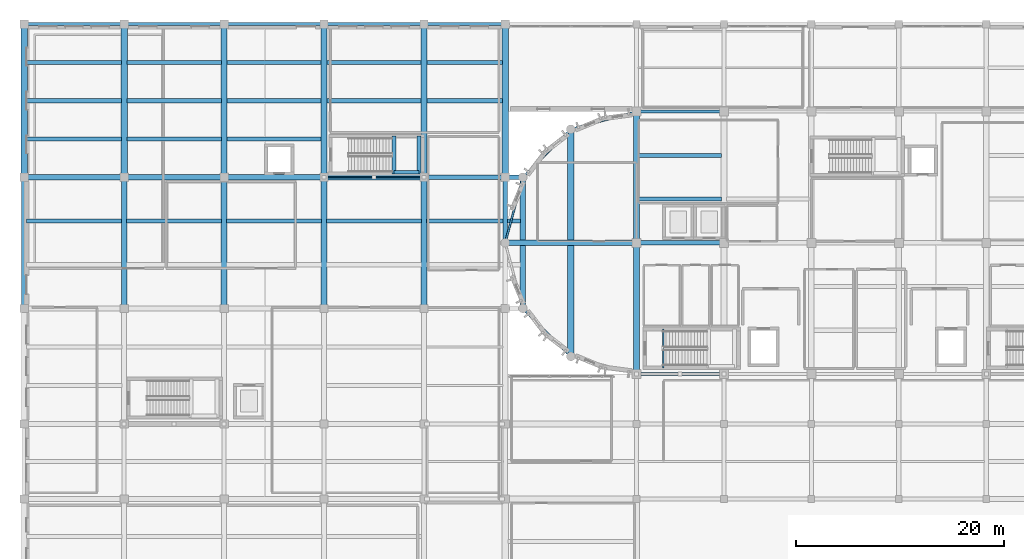
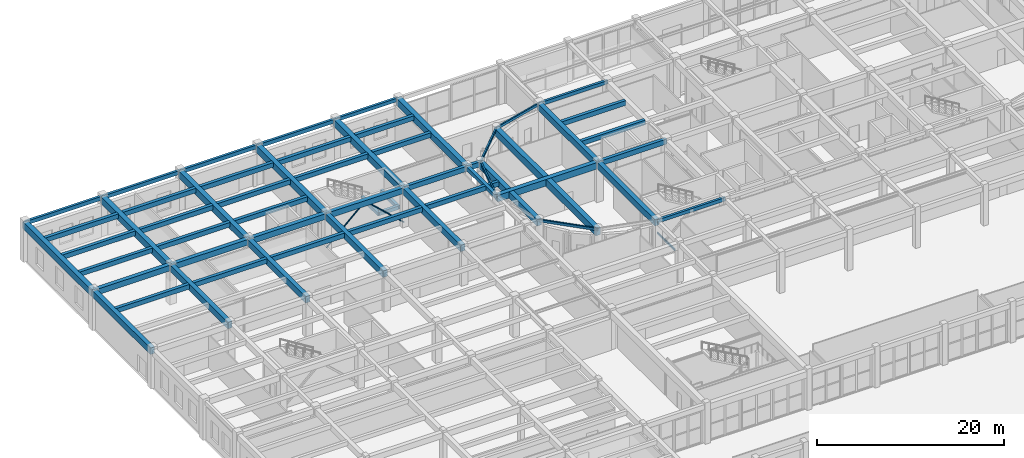
# One storey, part 34 of 98: 58 beams, 3 members.
"""IFC4 building model written with IfcOpenShell, lengths in metres."""

from ifc_helpers import new_model, si_unit, direction, frame, origin, origin_2d, place, context, subcontext, project, spatial, rectangle, hollow_rectangle, hollow_circle, extrude, material, material_profile, profile_set, type_object, element, save


model = new_model("IFC4")

# Units and contexts
model_context = context("Model", 3, precision=1e-05, world=origin(), true_north=direction((0.0, 1.0)))
body_context = subcontext(model_context, "Body", "Model", "MODEL_VIEW")
ifc_project = project(units=[si_unit("LENGTHUNIT", "METRE"), si_unit("AREAUNIT", "SQUARE_METRE"), si_unit("VOLUMEUNIT", "CUBIC_METRE"), si_unit("PLANEANGLEUNIT", "RADIAN"), si_unit("MASSUNIT", "GRAM", prefix="KILO")], contexts=[model_context])

# Site, building, storey
site_placement = place(None, origin())
site = spatial("IfcSite", under=ifc_project, at=site_placement, CompositionType="ELEMENT")
building_placement = place(site_placement, origin())
building = spatial("IfcBuilding", under=site, at=building_placement, Name="Tarnavel Promenade Courthouse", CompositionType="ELEMENT")
storey_placement = place(building_placement, origin())
storey = spatial("IfcBuildingStorey", under=building, at=storey_placement, Name="L01", CompositionType="ELEMENT", Elevation=0.0)

# Beams
ifc_material_1 = material(Name="Concrete C40/50", Category="concrete")
ifc_material_profile_1 = material_profile(ifc_material_1, rectangle(XDim=0.39990234375, YDim=0.60009765625, at=origin_2d()), Name="PT 400x600")
ifc_profile_set_1 = profile_set([ifc_material_profile_1], Name="Concrete C40/50")
beam_type_1 = type_object("IfcBeamType", Name="Concrete C40/50 BM-PT-400x600 (PT 400x600)", PredefinedType="JOIST", material=ifc_profile_set_1)
beam_1_placement = place(storey_placement, frame((0.2451171875, 93.89990234375, 4.794921875), z_axis=(1.0, 0.0, 0.0), x_axis=(0.0, 1.0, 0.0)))
element("IfcBeam", 1, at=beam_1_placement, inside=storey, type_object=beam_type_1, Name="L01 Secondary Floor Rib 0962", PredefinedType="JOIST", context=body_context, shape_type="SweptSolid", body=[
    extrude(rectangle(XDim=0.39990234375, YDim=0.60009765625, at=origin_2d()), origin(), (0.0, 0.0, 1.0), 9.10986328125),
])
beam_2_placement = place(storey_placement, frame((9.844970703125, 93.89990234375, 4.794921875), z_axis=(1.0, 0.0, 0.0), x_axis=(0.0, 1.0, 0.0)))
element("IfcBeam", 2, at=beam_2_placement, inside=storey, type_object=beam_type_1, Name="L01 Secondary Floor Rib 0964", PredefinedType="JOIST", context=body_context, shape_type="SweptSolid", body=[
    extrude(rectangle(XDim=0.39990234375, YDim=0.60009765625, at=origin_2d()), origin(), (0.0, 0.0, 1.0), 9.110107421875),
])
beam_3_placement = place(storey_placement, frame((19.445068359375, 93.89990234375, 4.794921875), z_axis=(1.0, 0.0, 0.0), x_axis=(0.0, 1.0, 0.0)))
element("IfcBeam", 3, at=beam_3_placement, inside=storey, type_object=beam_type_1, Name="L01 Secondary Floor Rib 0966", PredefinedType="JOIST", context=body_context, shape_type="SweptSolid", body=[
    extrude(rectangle(XDim=0.39990234375, YDim=0.60009765625, at=origin_2d()), origin(), (0.0, 0.0, 1.0), 9.10986328125),
])
beam_4_placement = place(storey_placement, frame((29.044921875, 93.89990234375, 4.794921875), z_axis=(1.0, 0.0, 0.0), x_axis=(0.0, 1.0, 0.0)))
element("IfcBeam", 4, at=beam_4_placement, inside=storey, type_object=beam_type_1, Name="L01 Secondary Floor Rib 0968", PredefinedType="JOIST", context=body_context, shape_type="SweptSolid", body=[
    extrude(rectangle(XDim=0.39990234375, YDim=0.60009765625, at=origin_2d()), origin(), (0.0, 0.0, 1.0), 9.110107421875),
])
beam_5_placement = place(storey_placement, frame((38.64501953125, 93.89990234375, 4.8349609375), z_axis=(1.0, 0.0, 0.0), x_axis=(0.0, 1.0, 0.0)))
element("IfcBeam", 5, at=beam_5_placement, inside=storey, type_object=beam_type_1, Name="L01 Secondary Floor Rib 0970", PredefinedType="JOIST", context=body_context, shape_type="SweptSolid", body=[
    extrude(rectangle(XDim=0.39990234375, YDim=0.60009765625, at=origin_2d()), origin(), (0.0, 0.0, 1.0), 8.998046875),
])
for number, where, z_axis, x_axis, name in (
    (6, (0.27001953125, 101.77490234375, 4.794921875), (1.0, 0.0, 0.0), (0.0, 1.0, 0.0), "L01 Secondary Floor Rib 0981"),
    (7, (0.27001953125, 105.449951171875, 4.794921875), (1.0, 0.0, 0.0), (0.0, 1.0, 0.0), "L01 Secondary Floor Rib 0982"),
    (8, (0.27001953125, 109.125, 4.794921875), (1.0, 0.0, 0.0), (0.0, 1.0, 0.0), "L01 Secondary Floor Rib 0983"),
):
    element("IfcBeam", number, at=place(storey_placement, frame(where, z_axis=z_axis, x_axis=x_axis)), inside=storey, type_object=beam_type_1, Name=name, PredefinedType="JOIST", context=body_context, shape_type="SweptSolid", body=[
        extrude(rectangle(XDim=0.39990234375, YDim=0.60009765625, at=origin_2d()), origin(), (0.0, 0.0, 1.0), 9.06005859375),
    ])
for number, where, z_axis, x_axis, name in (
    (9, (9.8701171875, 101.77490234375, 4.794921875), (1.0, 0.0, 0.0), (0.0, 1.0, 0.0), "L01 Secondary Floor Rib 0984"),
    (10, (9.8701171875, 105.449951171875, 4.794921875), (1.0, 0.0, 0.0), (0.0, 1.0, 0.0), "L01 Secondary Floor Rib 0985"),
    (11, (9.8701171875, 109.125, 4.794921875), (1.0, 0.0, 0.0), (0.0, 1.0, 0.0), "L01 Secondary Floor Rib 0986"),
):
    element("IfcBeam", number, at=place(storey_placement, frame(where, z_axis=z_axis, x_axis=x_axis)), inside=storey, type_object=beam_type_1, Name=name, PredefinedType="JOIST", context=body_context, shape_type="SweptSolid", body=[
        extrude(rectangle(XDim=0.39990234375, YDim=0.60009765625, at=origin_2d()), origin(), (0.0, 0.0, 1.0), 9.059814453125),
    ])
for number, where, z_axis, x_axis, name in (
    (12, (19.469970703125, 101.77490234375, 4.794921875), (1.0, 0.0, 0.0), (0.0, 1.0, 0.0), "L01 Secondary Floor Rib 0987"),
    (13, (19.469970703125, 105.449951171875, 4.794921875), (1.0, 0.0, 0.0), (0.0, 1.0, 0.0), "L01 Secondary Floor Rib 0988"),
    (14, (19.469970703125, 109.125, 4.794921875), (1.0, 0.0, 0.0), (0.0, 1.0, 0.0), "L01 Secondary Floor Rib 0989"),
):
    element("IfcBeam", number, at=place(storey_placement, frame(where, z_axis=z_axis, x_axis=x_axis)), inside=storey, type_object=beam_type_1, Name=name, PredefinedType="JOIST", context=body_context, shape_type="SweptSolid", body=[
        extrude(rectangle(XDim=0.39990234375, YDim=0.60009765625, at=origin_2d()), origin(), (0.0, 0.0, 1.0), 9.06005859375),
    ])
for number, where, z_axis, x_axis, name in (
    (15, (29.070068359375, 105.449951171875, 4.794921875), (1.0, 0.0, 0.0), (0.0, 1.0, 0.0), "L01 Secondary Floor Rib 0990"),
    (16, (29.070068359375, 109.125, 4.794921875), (1.0, 0.0, 0.0), (0.0, 1.0, 0.0), "L01 Secondary Floor Rib 0991"),
):
    element("IfcBeam", number, at=place(storey_placement, frame(where, z_axis=z_axis, x_axis=x_axis)), inside=storey, type_object=beam_type_1, Name=name, PredefinedType="JOIST", context=body_context, shape_type="SweptSolid", body=[
        extrude(rectangle(XDim=0.39990234375, YDim=0.60009765625, at=origin_2d()), origin(), (0.0, 0.0, 1.0), 9.059814453125),
    ])
for number, where, z_axis, x_axis, name in (
    (17, (38.669921875, 105.449951171875, 4.8349609375), (1.0, 0.0, 0.0), (0.0, 1.0, 0.0), "L01 Secondary Floor Rib 0992"),
    (18, (38.669921875, 109.125, 4.8349609375), (1.0, 0.0, 0.0), (0.0, 1.0, 0.0), "L01 Secondary Floor Rib 0993"),
):
    element("IfcBeam", number, at=place(storey_placement, frame(where, z_axis=z_axis, x_axis=x_axis)), inside=storey, type_object=beam_type_1, Name=name, PredefinedType="JOIST", context=body_context, shape_type="SweptSolid", body=[
        extrude(rectangle(XDim=0.39990234375, YDim=0.60009765625, at=origin_2d()), origin(), (0.0, 0.0, 1.0), 7.260009765625),
    ])
for number, where, z_axis, x_axis, name in (
    (19, (59.044921875, 96.0, 4.8349609375), (1.0, 0.0, 0.0), (0.0, 1.0, 0.0), "L01 Secondary Floor Rib 1004"),
    (20, (59.044921875, 100.199951171875, 4.8349609375), (1.0, 0.0, 0.0), (0.0, 1.0, 0.0), "L01 Secondary Floor Rib 1005"),
):
    element("IfcBeam", number, at=place(storey_placement, frame(where, z_axis=z_axis, x_axis=x_axis)), inside=storey, type_object=beam_type_1, Name=name, PredefinedType="JOIST", context=body_context, shape_type="SweptSolid", body=[
        extrude(rectangle(XDim=0.39990234375, YDim=0.60009765625, at=origin_2d()), origin(), (0.0, 0.0, 1.0), 7.91015625),
    ])
ifc_material_profile_2 = material_profile(ifc_material_1, rectangle(XDim=0.550048828125, YDim=0.85009765625, at=origin_2d()), Name="PT 550x850")
ifc_profile_set_2 = profile_set([ifc_material_profile_2], Name="Concrete C40/50")
beam_type_2 = type_object("IfcBeamType", Name="Concrete C40/50 BM-PT-550x850 (PT 550x850)", PredefinedType="T_BEAM", material=ifc_profile_set_2)
for number, where, z_axis, x_axis, name in (
    (21, (46.199951171875, 91.800048828125, 4.7099609375), (1.0, 0.0, 0.0), (0.0, 1.0, 0.0), "L01 Primary Longitudinal Beam 0693"),
    (22, (0.0, 85.5, 4.669921875), (0.0, 1.0, 0.0), (-1.0, 0.0, 0.0), "L01 Transverse Girder 0744"),
    (23, (9.60009765625, 85.5, 4.669921875), (0.0, 1.0, 0.0), (-1.0, 0.0, 0.0), "L01 Transverse Girder 0756"),
    (24, (19.199951171875, 85.5, 4.669921875), (0.0, 1.0, 0.0), (-1.0, 0.0, 0.0), "L01 Transverse Girder 0763"),
    (25, (28.800048828125, 85.5, 4.669921875), (0.0, 1.0, 0.0), (-1.0, 0.0, 0.0), "L01 Transverse Girder 0770"),
    (26, (38.39990234375, 85.5, 4.669921875), (0.0, 1.0, 0.0), (-1.0, 0.0, 0.0), "L01 Transverse Girder 0777"),
    (27, (47.88818359375, 85.5, 4.7099609375), (0.0, 1.0, 0.0), (-1.0, 0.0, 0.0), "L01 Transverse Girder 0785"),
    (28, (58.800048828125, 79.199951171875, 4.7099609375), (0.0, 1.0, 0.0), (-1.0, 0.0, 0.0), "L01 Transverse Girder 0792"),
):
    element("IfcBeam", number, at=place(storey_placement, frame(where, z_axis=z_axis, x_axis=x_axis)), inside=storey, type_object=beam_type_2, Name=name, PredefinedType="T_BEAM", context=body_context, shape_type="SweptSolid", body=[
        extrude(rectangle(XDim=0.550048828125, YDim=0.85009765625, at=origin_2d()), origin(), (0.0, 0.0, 1.0), 12.60009765625),
    ])
beam_6_placement = place(storey_placement, frame((58.800048828125, 91.800048828125, 4.7099609375), z_axis=(0.0, 1.0, 0.0), x_axis=(-1.0, 0.0, 0.0)))
element("IfcBeam", 29, at=beam_6_placement, inside=storey, type_object=beam_type_2, Name="L01 Transverse Girder 0793", PredefinedType="T_BEAM", context=body_context, shape_type="SweptSolid", body=[
    extrude(rectangle(XDim=0.550048828125, YDim=0.85009765625, at=origin_2d()), origin(), (0.0, 0.0, 1.0), 12.599853515625),
])
ifc_material_profile_3 = material_profile(ifc_material_1, rectangle(XDim=0.60009765625, YDim=0.89990234375, at=origin_2d()), Name="PT 600x900")
ifc_profile_set_3 = profile_set([ifc_material_profile_3], Name="Concrete C40/50")
beam_type_3 = type_object("IfcBeamType", Name="Concrete C40/50 BM-PT-600x900 (PT 600x900)", PredefinedType="T_BEAM", material=ifc_profile_set_3)
for number, where, z_axis, x_axis, name in (
    (30, (0.0, 98.10009765625, 4.64501953125), (0.0, 1.0, 0.0), (-1.0, 0.0, 0.0), "L01 Transverse Girder 0745"),
    (31, (9.60009765625, 98.10009765625, 4.64501953125), (0.0, 1.0, 0.0), (-1.0, 0.0, 0.0), "L01 Transverse Girder 0757"),
    (32, (19.199951171875, 98.10009765625, 4.64501953125), (0.0, 1.0, 0.0), (-1.0, 0.0, 0.0), "L01 Transverse Girder 0764"),
    (33, (28.800048828125, 98.10009765625, 4.64501953125), (0.0, 1.0, 0.0), (-1.0, 0.0, 0.0), "L01 Transverse Girder 0771"),
    (34, (38.39990234375, 98.10009765625, 4.64501953125), (0.0, 1.0, 0.0), (-1.0, 0.0, 0.0), "L01 Transverse Girder 0778"),
    (35, (46.199951171875, 98.10009765625, 4.68505859375), (0.0, 1.0, 0.0), (-1.0, 0.0, 0.0), "L01 Transverse Girder 0784"),
):
    element("IfcBeam", number, at=place(storey_placement, frame(where, z_axis=z_axis, x_axis=x_axis)), inside=storey, type_object=beam_type_3, Name=name, PredefinedType="T_BEAM", context=body_context, shape_type="SweptSolid", body=[
        extrude(rectangle(XDim=0.60009765625, YDim=0.89990234375, at=origin_2d()), origin(), (0.0, 0.0, 1.0), 14.699951171875),
    ])
ifc_material_profile_4 = material_profile(ifc_material_1, rectangle(XDim=0.60009765625, YDim=0.949951171875, at=origin_2d()), Name="PT 600x950")
ifc_profile_set_4 = profile_set([ifc_material_profile_4], Name="Concrete C40/50")
beam_type_4 = type_object("IfcBeamType", Name="Concrete C40/50 BM-PT-600x950 (PT 600x950)", PredefinedType="T_BEAM", material=ifc_profile_set_4)
beam_7_placement = place(storey_placement, frame((52.5, 80.88818359375, 4.659912109375), z_axis=(0.0, 1.0, 0.0), x_axis=(-1.0, 0.0, 0.0)))
element("IfcBeam", 36, at=beam_7_placement, inside=storey, type_object=beam_type_4, Name="L01 Transverse Girder 0786", PredefinedType="T_BEAM", context=body_context, shape_type="SweptSolid", body=[
    extrude(rectangle(XDim=0.60009765625, YDim=0.949951171875, at=origin_2d()), origin(), (0.0, 0.0, 1.0), 21.82373046875),
])
ifc_material_profile_5 = material_profile(ifc_material_1, rectangle(XDim=0.35009765625, YDim=0.449951171875, at=origin_2d()), Name="RC 350x450")
ifc_profile_set_5 = profile_set([ifc_material_profile_5], Name="Concrete C40/50")
beam_type_5 = type_object("IfcBeamType", Name="Concrete C40/50 BM-RC-350x450 (RC 350x450)", PredefinedType="BEAM", material=ifc_profile_set_5)
for number, where, z_axis, x_axis, name in (
    (37, (35.52001953125, 98.419921875, 2.27001953125), (0.0, 1.0, 0.0), (-1.0, 0.0, 0.0), "L01 ST-07 Mid-Landing Support Beam Near"),
    (38, (37.919921875, 98.419921875, 2.27001953125), (0.0, 1.0, 0.0), (-1.0, 0.0, 0.0), "L01 ST-07 Mid-Landing Support Beam Far"),
):
    element("IfcBeam", number, at=place(storey_placement, frame(where, z_axis=z_axis, x_axis=x_axis)), inside=storey, type_object=beam_type_5, Name=name, PredefinedType="BEAM", context=body_context, shape_type="SweptSolid", body=[
        extrude(rectangle(XDim=0.35009765625, YDim=0.449951171875, at=origin_2d()), origin(), (0.0, 0.0, 1.0), 3.64013671875),
    ])
beam_8_placement = place(storey_placement, frame((35.52001953125, 98.570068359375, 2.27001953125), z_axis=(1.0, 0.0, 0.0), x_axis=(0.0, 1.0, 0.0)))
element("IfcBeam", 39, at=beam_8_placement, inside=storey, type_object=beam_type_5, Name="L01 ST-07 Mid-Landing Edge Trimmer", PredefinedType="BEAM", context=body_context, shape_type="SweptSolid", body=[
    extrude(rectangle(XDim=0.35009765625, YDim=0.449951171875, at=origin_2d()), origin(), (0.0, 0.0, 1.0), 2.39990234375),
])
ifc_material_profile_6 = material_profile(ifc_material_1, rectangle(XDim=0.39990234375, YDim=0.5, at=origin_2d()), Name="RC 400x500")
ifc_profile_set_6 = profile_set([ifc_material_profile_6], Name="Concrete C40/50")
beam_type_6 = type_object("IfcBeamType", Name="Concrete C40/50 BM-RC-400x500 (RC 400x500)", PredefinedType="BEAM", material=ifc_profile_set_6)
beam_9_placement = place(storey_placement, frame((46.199951171875, 91.800048828125, 4.885009765625), z_axis=(0.0, 1.0, 0.0), x_axis=(-1.0, 0.0, 0.0)))
element("IfcBeam", 40, at=beam_9_placement, inside=storey, type_object=beam_type_6, Name="L01 Transverse Girder 0783", PredefinedType="BEAM", context=body_context, shape_type="SweptSolid", body=[
    extrude(rectangle(XDim=0.39990234375, YDim=0.5, at=origin_2d()), origin(), (0.0, 0.0, 1.0), 6.300048828125),
])
ifc_material_profile_7 = material_profile(ifc_material_1, rectangle(XDim=0.39990234375, YDim=0.64990234375, at=origin_2d()), Name="RC 400x650")
ifc_profile_set_7 = profile_set([ifc_material_profile_7], Name="Concrete C40/50")
beam_type_7 = type_object("IfcBeamType", Name="Concrete C40/50 BM-RC-400x650 (RC 400x650)", PredefinedType="BEAM", material=ifc_profile_set_7)
beam_10_placement = place(storey_placement, frame((58.800048828125, 91.800048828125, 4.81005859375), z_axis=(1.0, 0.0, 0.0), x_axis=(0.0, 1.0, 0.0)))
element("IfcBeam", 41, at=beam_10_placement, inside=storey, type_object=beam_type_7, Name="L01 Primary Longitudinal Beam 0694", PredefinedType="BEAM", context=body_context, shape_type="SweptSolid", body=[
    extrude(rectangle(XDim=0.39990234375, YDim=0.64990234375, at=origin_2d()), origin(), (0.0, 0.0, 1.0), 8.39990234375),
])
beam_11_placement = place(storey_placement, frame((38.39990234375, 98.10009765625, 4.81005859375), z_axis=(1.0, 0.0, 0.0), x_axis=(0.0, 1.0, 0.0)))
element("IfcBeam", 42, at=beam_11_placement, inside=storey, type_object=beam_type_7, Name="L01 Primary Longitudinal Beam 0704", PredefinedType="BEAM", context=body_context, shape_type="SweptSolid", body=[
    extrude(rectangle(XDim=0.39990234375, YDim=0.64990234375, at=origin_2d()), origin(), (0.0, 0.0, 1.0), 7.800048828125),
])
beam_12_placement = place(storey_placement, frame((46.199951171875, 98.10009765625, 4.81005859375), z_axis=(1.0, 0.0, 0.0), x_axis=(0.0, 1.0, 0.0)))
element("IfcBeam", 43, at=beam_12_placement, inside=storey, type_object=beam_type_7, Name="L01 Primary Longitudinal Beam 0705", PredefinedType="BEAM", context=body_context, shape_type="SweptSolid", body=[
    extrude(rectangle(XDim=0.39990234375, YDim=0.64990234375, at=origin_2d()), origin(), (0.0, 0.0, 1.0), 1.688232421875),
])
ifc_material_profile_8 = material_profile(ifc_material_1, rectangle(XDim=0.5, YDim=0.75, at=origin_2d()), Name="RC 500x750")
ifc_profile_set_8 = profile_set([ifc_material_profile_8], Name="Concrete C40/50")
beam_type_8 = type_object("IfcBeamType", Name="Concrete C40/50 BM-RC-500x750 (RC 500x750)", PredefinedType="T_BEAM", material=ifc_profile_set_8)
beam_13_placement = place(storey_placement, frame((0.0, 98.10009765625, 4.719970703125), z_axis=(1.0, 0.0, 0.0), x_axis=(0.0, 1.0, 0.0)))
element("IfcBeam", 44, at=beam_13_placement, inside=storey, type_object=beam_type_8, Name="L01 Primary Longitudinal Beam 0700", PredefinedType="T_BEAM", context=body_context, shape_type="SweptSolid", body=[
    extrude(rectangle(XDim=0.5, YDim=0.75, at=origin_2d()), origin(), (0.0, 0.0, 1.0), 9.60009765625),
])
beam_14_placement = place(storey_placement, frame((9.60009765625, 98.10009765625, 4.719970703125), z_axis=(1.0, 0.0, 0.0), x_axis=(0.0, 1.0, 0.0)))
element("IfcBeam", 45, at=beam_14_placement, inside=storey, type_object=beam_type_8, Name="L01 Primary Longitudinal Beam 0701", PredefinedType="T_BEAM", context=body_context, shape_type="SweptSolid", body=[
    extrude(rectangle(XDim=0.5, YDim=0.75, at=origin_2d()), origin(), (0.0, 0.0, 1.0), 9.599853515625),
])
beam_15_placement = place(storey_placement, frame((19.199951171875, 98.10009765625, 4.719970703125), z_axis=(1.0, 0.0, 0.0), x_axis=(0.0, 1.0, 0.0)))
element("IfcBeam", 46, at=beam_15_placement, inside=storey, type_object=beam_type_8, Name="L01 Primary Longitudinal Beam 0702", PredefinedType="T_BEAM", context=body_context, shape_type="SweptSolid", body=[
    extrude(rectangle(XDim=0.5, YDim=0.75, at=origin_2d()), origin(), (0.0, 0.0, 1.0), 9.60009765625),
])
beam_16_placement = place(storey_placement, frame((28.800048828125, 98.10009765625, 4.719970703125), z_axis=(1.0, 0.0, 0.0), x_axis=(0.0, 1.0, 0.0)))
element("IfcBeam", 47, at=beam_16_placement, inside=storey, type_object=beam_type_8, Name="L01 Primary Longitudinal Beam 0703", PredefinedType="T_BEAM", context=body_context, shape_type="SweptSolid", body=[
    extrude(rectangle(XDim=0.5, YDim=0.75, at=origin_2d()), origin(), (0.0, 0.0, 1.0), 9.599853515625),
])
ifc_material_profile_9 = material_profile(ifc_material_1, rectangle(XDim=0.300048828125, YDim=0.449951171875, at=origin_2d()), Name="RC 300x450")
ifc_profile_set_9 = profile_set([ifc_material_profile_9], Name="Concrete C40/50")
beam_type_9 = type_object("IfcBeamType", Name="Concrete C40/50 BM-SP-300x450 (RC 300x450)", PredefinedType="SPANDREL", material=ifc_profile_set_9)
for number, where, z_axis, x_axis, name in (
    (48, (58.800048828125, 79.199951171875, 4.8701171875), (1.0, 0.0, 0.0), (0.0, 1.0, 0.0), "L01 Primary Longitudinal Beam 0677"),
    (49, (58.800048828125, 104.39990234375, 4.909912109375), (1.0, 0.0, 0.0), (0.0, 1.0, 0.0), "L01 Primary Longitudinal Beam 0711"),
):
    element("IfcBeam", number, at=place(storey_placement, frame(where, z_axis=z_axis, x_axis=x_axis)), inside=storey, type_object=beam_type_9, Name=name, PredefinedType="SPANDREL", context=body_context, shape_type="SweptSolid", body=[
        extrude(rectangle(XDim=0.300048828125, YDim=0.449951171875, at=origin_2d()), origin(), (0.0, 0.0, 1.0), 8.39990234375),
    ])
beam_17_placement = place(storey_placement, frame((38.39990234375, 112.800048828125, 4.909912109375), z_axis=(1.0, 0.0, 0.0), x_axis=(0.0, 1.0, 0.0)))
element("IfcBeam", 50, at=beam_17_placement, inside=storey, type_object=beam_type_9, Name="L01 Primary Longitudinal Beam 0724", PredefinedType="SPANDREL", context=body_context, shape_type="SweptSolid", body=[
    extrude(rectangle(XDim=0.300048828125, YDim=0.449951171875, at=origin_2d()), origin(), (0.0, 0.0, 1.0), 7.800048828125),
])
ifc_material_profile_10 = material_profile(ifc_material_1, rectangle(XDim=0.300048828125, YDim=0.5, at=origin_2d()), Name="RC 300x500")
ifc_profile_set_10 = profile_set([ifc_material_profile_10], Name="Concrete C40/50")
beam_type_10 = type_object("IfcBeamType", Name="Concrete C40/50 BM-SP-300x500 (RC 300x500)", PredefinedType="SPANDREL", material=ifc_profile_set_10)
beam_18_placement = place(storey_placement, frame((0.0, 112.800048828125, 4.844970703125), z_axis=(1.0, 0.0, 0.0), x_axis=(0.0, 1.0, 0.0)))
element("IfcBeam", 51, at=beam_18_placement, inside=storey, type_object=beam_type_10, Name="L01 Primary Longitudinal Beam 0720", PredefinedType="SPANDREL", context=body_context, shape_type="SweptSolid", body=[
    extrude(rectangle(XDim=0.300048828125, YDim=0.5, at=origin_2d()), origin(), (0.0, 0.0, 1.0), 9.60009765625),
])
beam_19_placement = place(storey_placement, frame((9.60009765625, 112.800048828125, 4.844970703125), z_axis=(1.0, 0.0, 0.0), x_axis=(0.0, 1.0, 0.0)))
element("IfcBeam", 52, at=beam_19_placement, inside=storey, type_object=beam_type_10, Name="L01 Primary Longitudinal Beam 0721", PredefinedType="SPANDREL", context=body_context, shape_type="SweptSolid", body=[
    extrude(rectangle(XDim=0.300048828125, YDim=0.5, at=origin_2d()), origin(), (0.0, 0.0, 1.0), 9.599853515625),
])
beam_20_placement = place(storey_placement, frame((19.199951171875, 112.800048828125, 4.844970703125), z_axis=(1.0, 0.0, 0.0), x_axis=(0.0, 1.0, 0.0)))
element("IfcBeam", 53, at=beam_20_placement, inside=storey, type_object=beam_type_10, Name="L01 Primary Longitudinal Beam 0722", PredefinedType="SPANDREL", context=body_context, shape_type="SweptSolid", body=[
    extrude(rectangle(XDim=0.300048828125, YDim=0.5, at=origin_2d()), origin(), (0.0, 0.0, 1.0), 9.60009765625),
])
beam_21_placement = place(storey_placement, frame((28.800048828125, 112.800048828125, 4.844970703125), z_axis=(1.0, 0.0, 0.0), x_axis=(0.0, 1.0, 0.0)))
element("IfcBeam", 54, at=beam_21_placement, inside=storey, type_object=beam_type_10, Name="L01 Primary Longitudinal Beam 0723", PredefinedType="SPANDREL", context=body_context, shape_type="SweptSolid", body=[
    extrude(rectangle(XDim=0.300048828125, YDim=0.5, at=origin_2d()), origin(), (0.0, 0.0, 1.0), 9.599853515625),
])
ifc_material_2 = material(Name="Steel S355J2", Category="steel")
ifc_material_profile_11 = material_profile(ifc_material_2, hollow_rectangle(XDim=0.199951171875, YDim=0.35009765625, WallThickness=0.012451171875, InnerFilletRadius=0.012451171875, OuterFilletRadius=0.02490234375, at=origin_2d()), Name="RHS 350x200x12.5")
ifc_profile_set_11 = profile_set([ifc_material_profile_11], Name="Steel S355J2")
beam_type_11 = type_object("IfcBeamType", Name="Steel S355J2 BM-ST-RHS350 (RHS 350x200x12.5)", PredefinedType="SPANDREL", material=ifc_profile_set_11)
beam_22_placement = place(storey_placement, frame((58.800048828125, 104.39990234375, 4.9599609375), z_axis=(-0.965929839907, -0.258804065612, 0.0), x_axis=(0.258804065612, -0.965929839907, 0.0)))
element("IfcBeam", 55, at=beam_22_placement, inside=storey, type_object=beam_type_11, Name="L01 Drum Ring Spandrel 1054", PredefinedType="SPANDREL", context=body_context, shape_type="SweptSolid", body=[
    extrude(hollow_rectangle(XDim=0.199951171875, YDim=0.35009765625, WallThickness=0.012451171875, InnerFilletRadius=0.012451171875, OuterFilletRadius=0.02490234375, at=origin_2d()), origin(), (0.0, 0.0, 1.0), 6.522216796875),
])
beam_23_placement = place(storey_placement, frame((52.5, 102.7119140625, 4.9599609375), z_axis=(-0.707106781187, -0.707106781187, 0.0), x_axis=(0.707106781187, -0.707106781187, 0.0)))
element("IfcBeam", 56, at=beam_23_placement, inside=storey, type_object=beam_type_11, Name="L01 Drum Ring Spandrel 1055", PredefinedType="SPANDREL", context=body_context, shape_type="SweptSolid", body=[
    extrude(hollow_rectangle(XDim=0.199951171875, YDim=0.35009765625, WallThickness=0.012451171875, InnerFilletRadius=0.012451171875, OuterFilletRadius=0.02490234375, at=origin_2d()), origin(), (0.0, 0.0, 1.0), 6.52197265625),
])
beam_24_placement = place(storey_placement, frame((47.88818359375, 98.10009765625, 4.9599609375), z_axis=(-0.258838989821, -0.965920481897, 0.0), x_axis=(0.965920481897, -0.258838989821, 0.0)))
element("IfcBeam", 57, at=beam_24_placement, inside=storey, type_object=beam_type_11, Name="L01 Drum Ring Spandrel 1056", PredefinedType="SPANDREL", context=body_context, shape_type="SweptSolid", body=[
    extrude(hollow_rectangle(XDim=0.199951171875, YDim=0.35009765625, WallThickness=0.012451171875, InnerFilletRadius=0.012451171875, OuterFilletRadius=0.02490234375, at=origin_2d()), origin(), (0.0, 0.0, 1.0), 6.522216796875),
])
beam_25_placement = place(storey_placement, frame((47.88818359375, 85.5, 4.9599609375), z_axis=(0.707106781187, -0.707106781187, 0.0), x_axis=(0.707106781187, 0.707106781187, 0.0)))
element("IfcBeam", 58, at=beam_25_placement, inside=storey, type_object=beam_type_11, Name="L01 Drum Ring Spandrel 1058", PredefinedType="SPANDREL", context=body_context, shape_type="SweptSolid", body=[
    extrude(hollow_rectangle(XDim=0.199951171875, YDim=0.35009765625, WallThickness=0.012451171875, InnerFilletRadius=0.012451171875, OuterFilletRadius=0.02490234375, at=origin_2d()), origin(), (0.0, 0.0, 1.0), 6.52197265625),
])

# Members
ifc_material_profile_12 = material_profile(ifc_material_2, hollow_circle(Radius=0.084228515625, WallThickness=0.008056640625, at=origin_2d()), Name="CHS 168.3x8")
ifc_profile_set_12 = profile_set([ifc_material_profile_12], Name="Steel S355J2")
member_type_1 = type_object("IfcMemberType", Name="Steel S355J2 MEM-BR-CHS168 (CHS 168.3x8)", PredefinedType="BRACE", material=ifc_profile_set_12)
member_1_placement = place(storey_placement, frame((28.800048828125, 98.10009765625, 0.39501953125), z_axis=(0.733344567691, 0.0, 0.679857150465), x_axis=(0.0, 1.0, 0.0)))
element("IfcMember", 59, at=member_1_placement, inside=storey, type_object=member_type_1, Name="L01 V2 Chevron Brace A 036", PredefinedType="BRACE", context=body_context, shape_type="SweptSolid", body=[
    extrude(hollow_circle(Radius=0.084228515625, WallThickness=0.008056640625, at=origin_2d()), origin(), (0.0, 0.0, 1.0), 6.54541015625),
])
member_2_placement = place(storey_placement, frame((38.39990234375, 98.10009765625, 0.39501953125), z_axis=(-0.733327326961, 0.0, 0.679875747127), x_axis=(0.0, -1.0, 0.0)))
element("IfcMember", 60, at=member_2_placement, inside=storey, type_object=member_type_1, Name="L01 V2 Chevron Brace B 036", PredefinedType="BRACE", context=body_context, shape_type="SweptSolid", body=[
    extrude(hollow_circle(Radius=0.084228515625, WallThickness=0.008056640625, at=origin_2d()), origin(), (0.0, 0.0, 1.0), 6.545166015625),
])
ifc_material_profile_13 = material_profile(ifc_material_2, hollow_rectangle(XDim=0.14990234375, YDim=0.25, WallThickness=0.010009765625, InnerFilletRadius=0.010009765625, OuterFilletRadius=0.02001953125, at=origin_2d()), Name="RHS 250x150x10")
ifc_profile_set_13 = profile_set([ifc_material_profile_13], Name="Steel S355J2")
member_type_2 = type_object("IfcMemberType", Name="Steel S355J2 Stair Stringer MEM-STR-250 (RHS 250x150x10)", PredefinedType="STRINGER", material=ifc_profile_set_13)
member_3_placement = place(storey_placement, frame((61.360107421875, 79.800048828125, -0.179931640625), z_axis=(0.0, 1.0, 0.0), x_axis=(-1.0, 0.0, 0.0)))
element("IfcMember", 61, at=member_3_placement, inside=storey, type_object=member_type_2, Name="L01 ST-01 Stair Header Stringer", PredefinedType="STRINGER", context=body_context, shape_type="SweptSolid", body=[
    extrude(hollow_rectangle(XDim=0.14990234375, YDim=0.25, WallThickness=0.010009765625, InnerFilletRadius=0.010009765625, OuterFilletRadius=0.02001953125, at=origin_2d()), origin(), (0.0, 0.0, 1.0), 3.719970703125),
])

save(model, "model.ifc")
